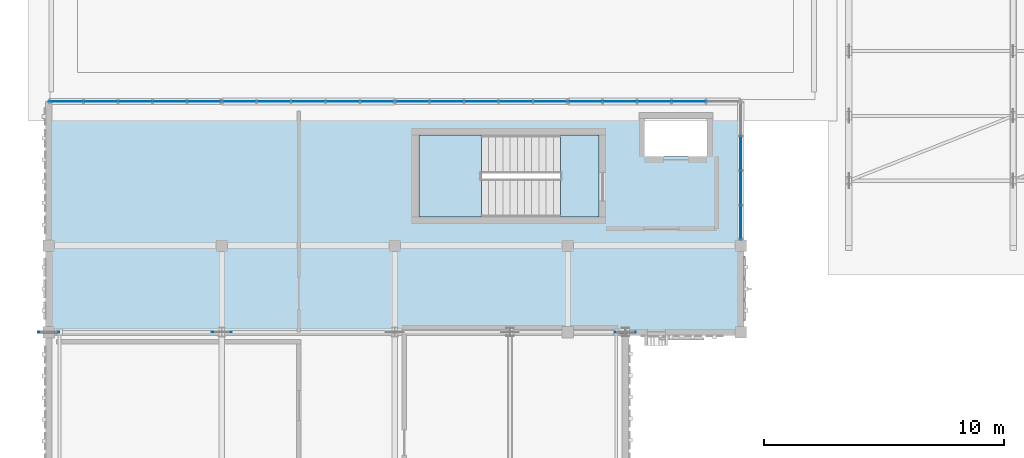
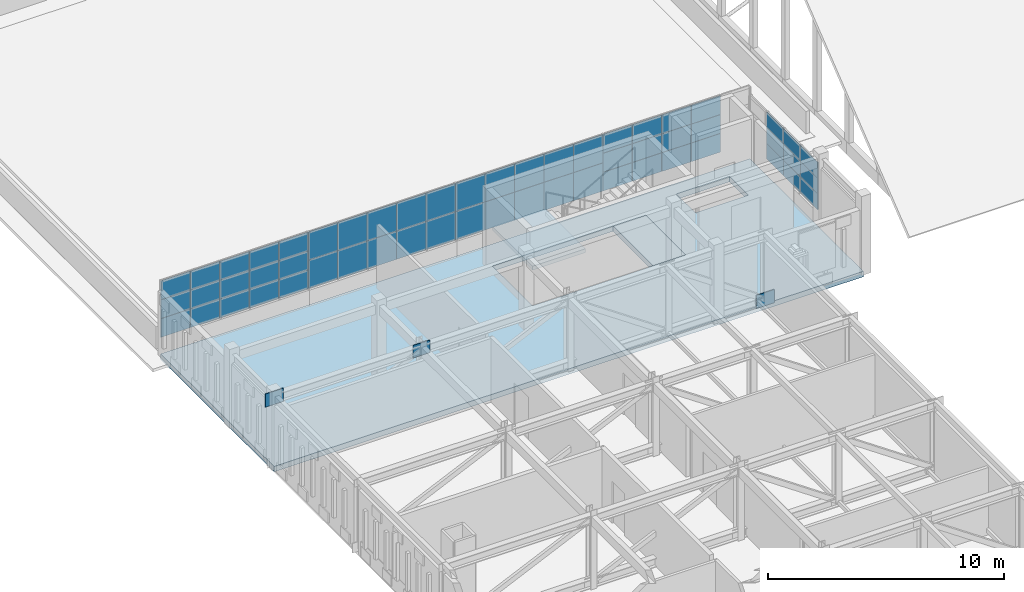
# One storey, part 35 of 79: 59 plates, 3 slabs, 6 elements without a shape of their own.
"""IFC4 building model written with IfcOpenShell, lengths in metres."""

from ifc_helpers import new_model, si_unit, direction, frame, origin, origin_2d, place, context, subcontext, project, spatial, polyline, rectangle, outline, extrude, material, layer, layer_set, type_object, element, aggregate, save


model = new_model("IFC4")

# Units and contexts
model_context = context("Model", 3, precision=1e-05, world=origin(), true_north=direction((0.0, 1.0)))
body_context = subcontext(model_context, "Body", "Model", "MODEL_VIEW")
ifc_project = project(units=[si_unit("LENGTHUNIT", "METRE"), si_unit("AREAUNIT", "SQUARE_METRE"), si_unit("VOLUMEUNIT", "CUBIC_METRE"), si_unit("PLANEANGLEUNIT", "RADIAN"), si_unit("MASSUNIT", "GRAM", prefix="KILO")], contexts=[model_context])

# Site, building, storey
site_placement = place(None, origin())
site = spatial("IfcSite", under=ifc_project, at=site_placement, CompositionType="ELEMENT")
building_placement = place(site_placement, origin())
building = spatial("IfcBuilding", under=site, at=building_placement, Name="Nzembalo Square Collegiate School", CompositionType="ELEMENT")
storey_placement = place(building_placement, frame((0.0, 0.0, 9.52001953125)))
storey = spatial("IfcBuildingStorey", under=building, at=storey_placement, Name="L02", CompositionType="ELEMENT", Elevation=9.52001953125)

# Curtain wall, plates
ifc_material_1 = material(Name="Aluminium 6060-T66", Category="aluminium")
curtain_wall_type_1 = type_object("IfcCurtainWallType", Name="CW-10", PredefinedType="USERDEFINED", material=ifc_material_1)
curtain_wall_1_placement = place(storey_placement, origin())
curtain_wall_1 = element("IfcCurtainWall", 1, at=curtain_wall_1_placement, inside=storey, type_object=curtain_wall_type_1, Name="Curtain wall CW-10 cw:L02:105", ObjectType="UNITISED", PredefinedType="USERDEFINED")
ifc_material_2 = material(Name="Laminated solar-control double glazing", Category="glass")
ifc_layer_1 = layer(ifc_material_2, 0.028076171875, Name="Laminated solar-control double glazing")
ifc_layer_set_1 = layer_set([ifc_layer_1], Name="Laminated solar-control double glazing")
plate_type_1 = type_object("IfcPlateType", Name="PN01", PredefinedType="CURTAIN_PANEL", material=ifc_layer_set_1)
plate_1_placement = place(storey_placement, frame((9.1201171875, 88.800048828125, 0.85400390625), z_axis=(0.0, 0.0, 1.0), x_axis=(1.0, 0.0, 0.0)))
plate_1 = element("IfcPlate", 2, at=plate_1_placement, type_object=plate_type_1, Name="PN01 glazed panel 1-1", PredefinedType="CURTAIN_PANEL", context=body_context, shape_type="SweptSolid", body=[
    extrude(rectangle(XDim=1.431884765625, YDim=0.028076171875, at=origin_2d()), origin(), (0.0, 0.0, 1.0), 0.966552734375),
])
plate_2_placement = place(storey_placement, frame((10.56005859375, 88.800048828125, 0.85400390625), z_axis=(0.0, 0.0, 1.0), x_axis=(1.0, 0.0, 0.0)))
plate_2 = element("IfcPlate", 3, at=plate_2_placement, type_object=plate_type_1, Name="PN01 glazed panel 1-2", PredefinedType="CURTAIN_PANEL", context=body_context, shape_type="SweptSolid", body=[
    extrude(rectangle(XDim=1.431884765625, YDim=0.028076171875, at=origin_2d()), origin(), (0.0, 0.0, 1.0), 0.966552734375),
])
plate_3_placement = place(storey_placement, frame((12.0, 88.800048828125, 0.85400390625), z_axis=(0.0, 0.0, 1.0), x_axis=(1.0, 0.0, 0.0)))
plate_3 = element("IfcPlate", 4, at=plate_3_placement, type_object=plate_type_1, Name="PN01 glazed panel 1-3", PredefinedType="CURTAIN_PANEL", context=body_context, shape_type="SweptSolid", body=[
    extrude(rectangle(XDim=1.431884765625, YDim=0.028076171875, at=origin_2d()), origin(), (0.0, 0.0, 1.0), 0.966552734375),
])
plate_4_placement = place(storey_placement, frame((13.43994140625, 88.800048828125, 0.85400390625), z_axis=(0.0, 0.0, 1.0), x_axis=(1.0, 0.0, 0.0)))
plate_4 = element("IfcPlate", 5, at=plate_4_placement, type_object=plate_type_1, Name="PN01 glazed panel 1-4", PredefinedType="CURTAIN_PANEL", context=body_context, shape_type="SweptSolid", body=[
    extrude(rectangle(XDim=1.431884765625, YDim=0.028076171875, at=origin_2d()), origin(), (0.0, 0.0, 1.0), 0.966552734375),
])
plate_5_placement = place(storey_placement, frame((14.8798828125, 88.800048828125, 0.85400390625), z_axis=(0.0, 0.0, 1.0), x_axis=(1.0, 0.0, 0.0)))
plate_5 = element("IfcPlate", 6, at=plate_5_placement, type_object=plate_type_1, Name="PN01 glazed panel 1-5", PredefinedType="CURTAIN_PANEL", context=body_context, shape_type="SweptSolid", body=[
    extrude(rectangle(XDim=1.431884765625, YDim=0.028076171875, at=origin_2d()), origin(), (0.0, 0.0, 1.0), 0.966552734375),
])
plate_6_placement = place(storey_placement, frame((9.1201171875, 88.800048828125, 1.82861328125), z_axis=(0.0, 0.0, 1.0), x_axis=(1.0, 0.0, 0.0)))
plate_6 = element("IfcPlate", 7, at=plate_6_placement, type_object=plate_type_1, Name="PN01 glazed panel 2-1", PredefinedType="CURTAIN_PANEL", context=body_context, shape_type="SweptSolid", body=[
    extrude(rectangle(XDim=1.431884765625, YDim=0.028076171875, at=origin_2d()), origin(), (0.0, 0.0, 1.0), 0.966552734375),
])
plate_7_placement = place(storey_placement, frame((10.56005859375, 88.800048828125, 1.82861328125), z_axis=(0.0, 0.0, 1.0), x_axis=(1.0, 0.0, 0.0)))
plate_7 = element("IfcPlate", 8, at=plate_7_placement, type_object=plate_type_1, Name="PN01 glazed panel 2-2", PredefinedType="CURTAIN_PANEL", context=body_context, shape_type="SweptSolid", body=[
    extrude(rectangle(XDim=1.431884765625, YDim=0.028076171875, at=origin_2d()), origin(), (0.0, 0.0, 1.0), 0.966552734375),
])
plate_8_placement = place(storey_placement, frame((12.0, 88.800048828125, 1.82861328125), z_axis=(0.0, 0.0, 1.0), x_axis=(1.0, 0.0, 0.0)))
plate_8 = element("IfcPlate", 9, at=plate_8_placement, type_object=plate_type_1, Name="PN01 glazed panel 2-3", PredefinedType="CURTAIN_PANEL", context=body_context, shape_type="SweptSolid", body=[
    extrude(rectangle(XDim=1.431884765625, YDim=0.028076171875, at=origin_2d()), origin(), (0.0, 0.0, 1.0), 0.966552734375),
])
plate_9_placement = place(storey_placement, frame((13.43994140625, 88.800048828125, 1.82861328125), z_axis=(0.0, 0.0, 1.0), x_axis=(1.0, 0.0, 0.0)))
plate_9 = element("IfcPlate", 10, at=plate_9_placement, type_object=plate_type_1, Name="PN01 glazed panel 2-4", PredefinedType="CURTAIN_PANEL", context=body_context, shape_type="SweptSolid", body=[
    extrude(rectangle(XDim=1.431884765625, YDim=0.028076171875, at=origin_2d()), origin(), (0.0, 0.0, 1.0), 0.966552734375),
])
plate_10_placement = place(storey_placement, frame((14.8798828125, 88.800048828125, 1.82861328125), z_axis=(0.0, 0.0, 1.0), x_axis=(1.0, 0.0, 0.0)))
plate_10 = element("IfcPlate", 11, at=plate_10_placement, type_object=plate_type_1, Name="PN01 glazed panel 2-5", PredefinedType="CURTAIN_PANEL", context=body_context, shape_type="SweptSolid", body=[
    extrude(rectangle(XDim=1.431884765625, YDim=0.028076171875, at=origin_2d()), origin(), (0.0, 0.0, 1.0), 0.966552734375),
])
plate_11_placement = place(storey_placement, frame((9.1201171875, 88.800048828125, 2.80322265625), z_axis=(0.0, 0.0, 1.0), x_axis=(1.0, 0.0, 0.0)))
plate_11 = element("IfcPlate", 12, at=plate_11_placement, type_object=plate_type_1, Name="PN01 glazed panel 3-1", PredefinedType="CURTAIN_PANEL", context=body_context, shape_type="SweptSolid", body=[
    extrude(rectangle(XDim=1.431884765625, YDim=0.028076171875, at=origin_2d()), origin(), (0.0, 0.0, 1.0), 0.966552734375),
])
plate_12_placement = place(storey_placement, frame((10.56005859375, 88.800048828125, 2.80322265625), z_axis=(0.0, 0.0, 1.0), x_axis=(1.0, 0.0, 0.0)))
plate_12 = element("IfcPlate", 13, at=plate_12_placement, type_object=plate_type_1, Name="PN01 glazed panel 3-2", PredefinedType="CURTAIN_PANEL", context=body_context, shape_type="SweptSolid", body=[
    extrude(rectangle(XDim=1.431884765625, YDim=0.028076171875, at=origin_2d()), origin(), (0.0, 0.0, 1.0), 0.966552734375),
])
plate_13_placement = place(storey_placement, frame((12.0, 88.800048828125, 2.80322265625), z_axis=(0.0, 0.0, 1.0), x_axis=(1.0, 0.0, 0.0)))
plate_13 = element("IfcPlate", 14, at=plate_13_placement, type_object=plate_type_1, Name="PN01 glazed panel 3-3", PredefinedType="CURTAIN_PANEL", context=body_context, shape_type="SweptSolid", body=[
    extrude(rectangle(XDim=1.431884765625, YDim=0.028076171875, at=origin_2d()), origin(), (0.0, 0.0, 1.0), 0.966552734375),
])
plate_14_placement = place(storey_placement, frame((13.43994140625, 88.800048828125, 2.80322265625), z_axis=(0.0, 0.0, 1.0), x_axis=(1.0, 0.0, 0.0)))
plate_14 = element("IfcPlate", 15, at=plate_14_placement, type_object=plate_type_1, Name="PN01 glazed panel 3-4", PredefinedType="CURTAIN_PANEL", context=body_context, shape_type="SweptSolid", body=[
    extrude(rectangle(XDim=1.431884765625, YDim=0.028076171875, at=origin_2d()), origin(), (0.0, 0.0, 1.0), 0.966552734375),
])
plate_15_placement = place(storey_placement, frame((14.8798828125, 88.800048828125, 2.80322265625), z_axis=(0.0, 0.0, 1.0), x_axis=(1.0, 0.0, 0.0)))
plate_15 = element("IfcPlate", 16, at=plate_15_placement, type_object=plate_type_1, Name="PN01 glazed panel 3-5", PredefinedType="CURTAIN_PANEL", context=body_context, shape_type="SweptSolid", body=[
    extrude(rectangle(XDim=1.431884765625, YDim=0.028076171875, at=origin_2d()), origin(), (0.0, 0.0, 1.0), 0.966552734375),
])
aggregate(curtain_wall_1, [plate_1, plate_2, plate_3, plate_4, plate_5, plate_6, plate_7, plate_8, plate_9, plate_10, plate_11, plate_12, plate_13, plate_14, plate_15])

ifc_material_3 = material(Name="Aluminium 6060-T66", Category="aluminium")
curtain_wall_type_2 = type_object("IfcCurtainWallType", Name="CW-09", PredefinedType="USERDEFINED", material=ifc_material_3)
curtain_wall_2_placement = place(storey_placement, origin())
curtain_wall_2 = element("IfcCurtainWall", 17, at=curtain_wall_2_placement, inside=storey, type_object=curtain_wall_type_2, Name="Curtain wall CW-09 cw:L02:108", ObjectType="UNITISED", PredefinedType="USERDEFINED")
plate_16_placement = place(storey_placement, frame((30.719970703125, 88.800048828125, 0.85400390625), z_axis=(0.0, 0.0, 1.0), x_axis=(1.0, 0.0, 0.0)))
plate_16 = element("IfcPlate", 18, at=plate_16_placement, type_object=plate_type_1, Name="PN01 glazed panel 1-1", PredefinedType="CURTAIN_PANEL", context=body_context, shape_type="SweptSolid", body=[
    extrude(rectangle(XDim=1.431884765625, YDim=0.028076171875, at=origin_2d()), origin(), (0.0, 0.0, 1.0), 0.966552734375),
])
plate_17_placement = place(storey_placement, frame((32.159912109375, 88.800048828125, 0.85400390625), z_axis=(0.0, 0.0, 1.0), x_axis=(1.0, 0.0, 0.0)))
plate_17 = element("IfcPlate", 19, at=plate_17_placement, type_object=plate_type_1, Name="PN01 glazed panel 1-2", PredefinedType="CURTAIN_PANEL", context=body_context, shape_type="SweptSolid", body=[
    extrude(rectangle(XDim=1.431884765625, YDim=0.028076171875, at=origin_2d()), origin(), (0.0, 0.0, 1.0), 0.966552734375),
])
plate_18_placement = place(storey_placement, frame((33.60009765625, 88.800048828125, 0.85400390625), z_axis=(0.0, 0.0, 1.0), x_axis=(1.0, 0.0, 0.0)))
plate_18 = element("IfcPlate", 20, at=plate_18_placement, type_object=plate_type_1, Name="PN01 glazed panel 1-3", PredefinedType="CURTAIN_PANEL", context=body_context, shape_type="SweptSolid", body=[
    extrude(rectangle(XDim=1.431884765625, YDim=0.028076171875, at=origin_2d()), origin(), (0.0, 0.0, 1.0), 0.966552734375),
])
plate_19_placement = place(storey_placement, frame((35.0400390625, 88.800048828125, 0.85400390625), z_axis=(0.0, 0.0, 1.0), x_axis=(1.0, 0.0, 0.0)))
plate_19 = element("IfcPlate", 21, at=plate_19_placement, type_object=plate_type_1, Name="PN01 glazed panel 1-4", PredefinedType="CURTAIN_PANEL", context=body_context, shape_type="SweptSolid", body=[
    extrude(rectangle(XDim=1.431884765625, YDim=0.028076171875, at=origin_2d()), origin(), (0.0, 0.0, 1.0), 0.966552734375),
])
plate_20_placement = place(storey_placement, frame((30.719970703125, 88.800048828125, 1.82861328125), z_axis=(0.0, 0.0, 1.0), x_axis=(1.0, 0.0, 0.0)))
plate_20 = element("IfcPlate", 22, at=plate_20_placement, type_object=plate_type_1, Name="PN01 glazed panel 2-1", PredefinedType="CURTAIN_PANEL", context=body_context, shape_type="SweptSolid", body=[
    extrude(rectangle(XDim=1.431884765625, YDim=0.028076171875, at=origin_2d()), origin(), (0.0, 0.0, 1.0), 0.966552734375),
])
plate_21_placement = place(storey_placement, frame((32.159912109375, 88.800048828125, 1.82861328125), z_axis=(0.0, 0.0, 1.0), x_axis=(1.0, 0.0, 0.0)))
plate_21 = element("IfcPlate", 23, at=plate_21_placement, type_object=plate_type_1, Name="PN01 glazed panel 2-2", PredefinedType="CURTAIN_PANEL", context=body_context, shape_type="SweptSolid", body=[
    extrude(rectangle(XDim=1.431884765625, YDim=0.028076171875, at=origin_2d()), origin(), (0.0, 0.0, 1.0), 0.966552734375),
])
plate_22_placement = place(storey_placement, frame((33.60009765625, 88.800048828125, 1.82861328125), z_axis=(0.0, 0.0, 1.0), x_axis=(1.0, 0.0, 0.0)))
plate_22 = element("IfcPlate", 24, at=plate_22_placement, type_object=plate_type_1, Name="PN01 glazed panel 2-3", PredefinedType="CURTAIN_PANEL", context=body_context, shape_type="SweptSolid", body=[
    extrude(rectangle(XDim=1.431884765625, YDim=0.028076171875, at=origin_2d()), origin(), (0.0, 0.0, 1.0), 0.966552734375),
])
plate_23_placement = place(storey_placement, frame((35.0400390625, 88.800048828125, 1.82861328125), z_axis=(0.0, 0.0, 1.0), x_axis=(1.0, 0.0, 0.0)))
plate_23 = element("IfcPlate", 25, at=plate_23_placement, type_object=plate_type_1, Name="PN01 glazed panel 2-4", PredefinedType="CURTAIN_PANEL", context=body_context, shape_type="SweptSolid", body=[
    extrude(rectangle(XDim=1.431884765625, YDim=0.028076171875, at=origin_2d()), origin(), (0.0, 0.0, 1.0), 0.966552734375),
])
plate_24_placement = place(storey_placement, frame((30.719970703125, 88.800048828125, 2.80322265625), z_axis=(0.0, 0.0, 1.0), x_axis=(1.0, 0.0, 0.0)))
plate_24 = element("IfcPlate", 26, at=plate_24_placement, type_object=plate_type_1, Name="PN01 glazed panel 3-1", PredefinedType="CURTAIN_PANEL", context=body_context, shape_type="SweptSolid", body=[
    extrude(rectangle(XDim=1.431884765625, YDim=0.028076171875, at=origin_2d()), origin(), (0.0, 0.0, 1.0), 0.966552734375),
])
plate_25_placement = place(storey_placement, frame((32.159912109375, 88.800048828125, 2.80322265625), z_axis=(0.0, 0.0, 1.0), x_axis=(1.0, 0.0, 0.0)))
plate_25 = element("IfcPlate", 27, at=plate_25_placement, type_object=plate_type_1, Name="PN01 glazed panel 3-2", PredefinedType="CURTAIN_PANEL", context=body_context, shape_type="SweptSolid", body=[
    extrude(rectangle(XDim=1.431884765625, YDim=0.028076171875, at=origin_2d()), origin(), (0.0, 0.0, 1.0), 0.966552734375),
])
plate_26_placement = place(storey_placement, frame((33.60009765625, 88.800048828125, 2.80322265625), z_axis=(0.0, 0.0, 1.0), x_axis=(1.0, 0.0, 0.0)))
plate_26 = element("IfcPlate", 28, at=plate_26_placement, type_object=plate_type_1, Name="PN01 glazed panel 3-3", PredefinedType="CURTAIN_PANEL", context=body_context, shape_type="SweptSolid", body=[
    extrude(rectangle(XDim=1.431884765625, YDim=0.028076171875, at=origin_2d()), origin(), (0.0, 0.0, 1.0), 0.966552734375),
])
plate_27_placement = place(storey_placement, frame((35.0400390625, 88.800048828125, 2.80322265625), z_axis=(0.0, 0.0, 1.0), x_axis=(1.0, 0.0, 0.0)))
plate_27 = element("IfcPlate", 29, at=plate_27_placement, type_object=plate_type_1, Name="PN01 glazed panel 3-4", PredefinedType="CURTAIN_PANEL", context=body_context, shape_type="SweptSolid", body=[
    extrude(rectangle(XDim=1.431884765625, YDim=0.028076171875, at=origin_2d()), origin(), (0.0, 0.0, 1.0), 0.966552734375),
])
aggregate(curtain_wall_2, [plate_16, plate_17, plate_18, plate_19, plate_20, plate_21, plate_22, plate_23, plate_24, plate_25, plate_26, plate_27])

ifc_material_4 = material(Name="Aluminium 6060-T66", Category="aluminium")
curtain_wall_type_3 = type_object("IfcCurtainWallType", Name="CW-11", PredefinedType="USERDEFINED", material=ifc_material_4)
curtain_wall_3_placement = place(storey_placement, origin())
curtain_wall_3 = element("IfcCurtainWall", 30, at=curtain_wall_3_placement, inside=storey, type_object=curtain_wall_type_3, Name="Curtain wall CW-11 cw:L02:106", ObjectType="LANCET", PredefinedType="USERDEFINED")
ifc_material_5 = material(Name="Acoustic laminated solar-control glazing", Category="glass")
ifc_layer_2 = layer(ifc_material_5, 0.031982421875, Name="Acoustic laminated solar-control glazing")
ifc_layer_set_2 = layer_set([ifc_layer_2], Name="Acoustic laminated solar-control glazing")
plate_type_2 = type_object("IfcPlateType", Name="PN02", PredefinedType="CURTAIN_PANEL", material=ifc_layer_set_2)
plate_28_placement = place(storey_placement, frame((16.320068359375, 88.800048828125, 0.85400390625), z_axis=(0.0, 0.0, 1.0), x_axis=(1.0, 0.0, 0.0)))
plate_28 = element("IfcPlate", 31, at=plate_28_placement, type_object=plate_type_2, Name="PN02 glazed panel 1-1", PredefinedType="CURTAIN_PANEL", context=body_context, shape_type="SweptSolid", body=[
    extrude(rectangle(XDim=1.431884765625, YDim=0.031982421875, at=origin_2d()), origin(), (0.0, 0.0, 1.0), 1.4541015625),
])
plate_29_placement = place(storey_placement, frame((17.760009765625, 88.800048828125, 0.85400390625), z_axis=(0.0, 0.0, 1.0), x_axis=(1.0, 0.0, 0.0)))
plate_29 = element("IfcPlate", 32, at=plate_29_placement, type_object=plate_type_2, Name="PN02 glazed panel 1-2", PredefinedType="CURTAIN_PANEL", context=body_context, shape_type="SweptSolid", body=[
    extrude(rectangle(XDim=1.431884765625, YDim=0.031982421875, at=origin_2d()), origin(), (0.0, 0.0, 1.0), 1.4541015625),
])
plate_30_placement = place(storey_placement, frame((19.199951171875, 88.800048828125, 0.85400390625), z_axis=(0.0, 0.0, 1.0), x_axis=(1.0, 0.0, 0.0)))
plate_30 = element("IfcPlate", 33, at=plate_30_placement, type_object=plate_type_2, Name="PN02 glazed panel 1-3", PredefinedType="CURTAIN_PANEL", context=body_context, shape_type="SweptSolid", body=[
    extrude(rectangle(XDim=1.431884765625, YDim=0.031982421875, at=origin_2d()), origin(), (0.0, 0.0, 1.0), 1.4541015625),
])
plate_31_placement = place(storey_placement, frame((20.639892578125, 88.800048828125, 0.85400390625), z_axis=(0.0, 0.0, 1.0), x_axis=(1.0, 0.0, 0.0)))
plate_31 = element("IfcPlate", 34, at=plate_31_placement, type_object=plate_type_2, Name="PN02 glazed panel 1-4", PredefinedType="CURTAIN_PANEL", context=body_context, shape_type="SweptSolid", body=[
    extrude(rectangle(XDim=1.431884765625, YDim=0.031982421875, at=origin_2d()), origin(), (0.0, 0.0, 1.0), 1.4541015625),
])
plate_32_placement = place(storey_placement, frame((22.080078125, 88.800048828125, 0.85400390625), z_axis=(0.0, 0.0, 1.0), x_axis=(1.0, 0.0, 0.0)))
plate_32 = element("IfcPlate", 35, at=plate_32_placement, type_object=plate_type_2, Name="PN02 glazed panel 1-5", PredefinedType="CURTAIN_PANEL", context=body_context, shape_type="SweptSolid", body=[
    extrude(rectangle(XDim=1.431884765625, YDim=0.031982421875, at=origin_2d()), origin(), (0.0, 0.0, 1.0), 1.4541015625),
])
plate_33_placement = place(storey_placement, frame((16.320068359375, 88.800048828125, 2.31591796875), z_axis=(0.0, 0.0, 1.0), x_axis=(1.0, 0.0, 0.0)))
plate_33 = element("IfcPlate", 36, at=plate_33_placement, type_object=plate_type_2, Name="PN02 glazed panel 2-1", PredefinedType="CURTAIN_PANEL", context=body_context, shape_type="SweptSolid", body=[
    extrude(rectangle(XDim=1.431884765625, YDim=0.031982421875, at=origin_2d()), origin(), (0.0, 0.0, 1.0), 1.4541015625),
])
plate_34_placement = place(storey_placement, frame((17.760009765625, 88.800048828125, 2.31591796875), z_axis=(0.0, 0.0, 1.0), x_axis=(1.0, 0.0, 0.0)))
plate_34 = element("IfcPlate", 37, at=plate_34_placement, type_object=plate_type_2, Name="PN02 glazed panel 2-2", PredefinedType="CURTAIN_PANEL", context=body_context, shape_type="SweptSolid", body=[
    extrude(rectangle(XDim=1.431884765625, YDim=0.031982421875, at=origin_2d()), origin(), (0.0, 0.0, 1.0), 1.4541015625),
])
plate_35_placement = place(storey_placement, frame((19.199951171875, 88.800048828125, 2.31591796875), z_axis=(0.0, 0.0, 1.0), x_axis=(1.0, 0.0, 0.0)))
plate_35 = element("IfcPlate", 38, at=plate_35_placement, type_object=plate_type_2, Name="PN02 glazed panel 2-3", PredefinedType="CURTAIN_PANEL", context=body_context, shape_type="SweptSolid", body=[
    extrude(rectangle(XDim=1.431884765625, YDim=0.031982421875, at=origin_2d()), origin(), (0.0, 0.0, 1.0), 1.4541015625),
])
plate_36_placement = place(storey_placement, frame((20.639892578125, 88.800048828125, 2.31591796875), z_axis=(0.0, 0.0, 1.0), x_axis=(1.0, 0.0, 0.0)))
plate_36 = element("IfcPlate", 39, at=plate_36_placement, type_object=plate_type_2, Name="PN02 glazed panel 2-4", PredefinedType="CURTAIN_PANEL", context=body_context, shape_type="SweptSolid", body=[
    extrude(rectangle(XDim=1.431884765625, YDim=0.031982421875, at=origin_2d()), origin(), (0.0, 0.0, 1.0), 1.4541015625),
])
plate_37_placement = place(storey_placement, frame((22.080078125, 88.800048828125, 2.31591796875), z_axis=(0.0, 0.0, 1.0), x_axis=(1.0, 0.0, 0.0)))
plate_37 = element("IfcPlate", 40, at=plate_37_placement, type_object=plate_type_2, Name="PN02 glazed panel 2-5", PredefinedType="CURTAIN_PANEL", context=body_context, shape_type="SweptSolid", body=[
    extrude(rectangle(XDim=1.431884765625, YDim=0.031982421875, at=origin_2d()), origin(), (0.0, 0.0, 1.0), 1.4541015625),
])
aggregate(curtain_wall_3, [plate_28, plate_29, plate_30, plate_31, plate_32, plate_33, plate_34, plate_35, plate_36, plate_37])

ifc_material_6 = material(Name="Aluminium 6060-T66", Category="aluminium")
curtain_wall_type_4 = type_object("IfcCurtainWallType", Name="CW-12", PredefinedType="USERDEFINED", material=ifc_material_6)
curtain_wall_4_placement = place(storey_placement, origin())
curtain_wall_4 = element("IfcCurtainWall", 41, at=curtain_wall_4_placement, inside=storey, type_object=curtain_wall_type_4, Name="Curtain wall CW-12 cw:L02:107", ObjectType="LANCET", PredefinedType="USERDEFINED")
plate_38_placement = place(storey_placement, frame((23.52001953125, 88.800048828125, 0.85400390625), z_axis=(0.0, 0.0, 1.0), x_axis=(1.0, 0.0, 0.0)))
plate_38 = element("IfcPlate", 42, at=plate_38_placement, type_object=plate_type_2, Name="PN02 glazed panel 1-1", PredefinedType="CURTAIN_PANEL", context=body_context, shape_type="SweptSolid", body=[
    extrude(rectangle(XDim=1.431884765625, YDim=0.031982421875, at=origin_2d()), origin(), (0.0, 0.0, 1.0), 1.4541015625),
])
plate_39_placement = place(storey_placement, frame((24.9599609375, 88.800048828125, 0.85400390625), z_axis=(0.0, 0.0, 1.0), x_axis=(1.0, 0.0, 0.0)))
plate_39 = element("IfcPlate", 43, at=plate_39_placement, type_object=plate_type_2, Name="PN02 glazed panel 1-2", PredefinedType="CURTAIN_PANEL", context=body_context, shape_type="SweptSolid", body=[
    extrude(rectangle(XDim=1.431884765625, YDim=0.031982421875, at=origin_2d()), origin(), (0.0, 0.0, 1.0), 1.4541015625),
])
plate_40_placement = place(storey_placement, frame((26.39990234375, 88.800048828125, 0.85400390625), z_axis=(0.0, 0.0, 1.0), x_axis=(1.0, 0.0, 0.0)))
plate_40 = element("IfcPlate", 44, at=plate_40_placement, type_object=plate_type_2, Name="PN02 glazed panel 1-3", PredefinedType="CURTAIN_PANEL", context=body_context, shape_type="SweptSolid", body=[
    extrude(rectangle(XDim=1.431884765625, YDim=0.031982421875, at=origin_2d()), origin(), (0.0, 0.0, 1.0), 1.4541015625),
])
plate_41_placement = place(storey_placement, frame((27.840087890625, 88.800048828125, 0.85400390625), z_axis=(0.0, 0.0, 1.0), x_axis=(1.0, 0.0, 0.0)))
plate_41 = element("IfcPlate", 45, at=plate_41_placement, type_object=plate_type_2, Name="PN02 glazed panel 1-4", PredefinedType="CURTAIN_PANEL", context=body_context, shape_type="SweptSolid", body=[
    extrude(rectangle(XDim=1.431884765625, YDim=0.031982421875, at=origin_2d()), origin(), (0.0, 0.0, 1.0), 1.4541015625),
])
plate_42_placement = place(storey_placement, frame((29.280029296875, 88.800048828125, 0.85400390625), z_axis=(0.0, 0.0, 1.0), x_axis=(1.0, 0.0, 0.0)))
plate_42 = element("IfcPlate", 46, at=plate_42_placement, type_object=plate_type_2, Name="PN02 glazed panel 1-5", PredefinedType="CURTAIN_PANEL", context=body_context, shape_type="SweptSolid", body=[
    extrude(rectangle(XDim=1.431884765625, YDim=0.031982421875, at=origin_2d()), origin(), (0.0, 0.0, 1.0), 1.4541015625),
])
plate_43_placement = place(storey_placement, frame((23.52001953125, 88.800048828125, 2.31591796875), z_axis=(0.0, 0.0, 1.0), x_axis=(1.0, 0.0, 0.0)))
plate_43 = element("IfcPlate", 47, at=plate_43_placement, type_object=plate_type_2, Name="PN02 glazed panel 2-1", PredefinedType="CURTAIN_PANEL", context=body_context, shape_type="SweptSolid", body=[
    extrude(rectangle(XDim=1.431884765625, YDim=0.031982421875, at=origin_2d()), origin(), (0.0, 0.0, 1.0), 1.4541015625),
])
plate_44_placement = place(storey_placement, frame((24.9599609375, 88.800048828125, 2.31591796875), z_axis=(0.0, 0.0, 1.0), x_axis=(1.0, 0.0, 0.0)))
plate_44 = element("IfcPlate", 48, at=plate_44_placement, type_object=plate_type_2, Name="PN02 glazed panel 2-2", PredefinedType="CURTAIN_PANEL", context=body_context, shape_type="SweptSolid", body=[
    extrude(rectangle(XDim=1.431884765625, YDim=0.031982421875, at=origin_2d()), origin(), (0.0, 0.0, 1.0), 1.4541015625),
])
plate_45_placement = place(storey_placement, frame((26.39990234375, 88.800048828125, 2.31591796875), z_axis=(0.0, 0.0, 1.0), x_axis=(1.0, 0.0, 0.0)))
plate_45 = element("IfcPlate", 49, at=plate_45_placement, type_object=plate_type_2, Name="PN02 glazed panel 2-3", PredefinedType="CURTAIN_PANEL", context=body_context, shape_type="SweptSolid", body=[
    extrude(rectangle(XDim=1.431884765625, YDim=0.031982421875, at=origin_2d()), origin(), (0.0, 0.0, 1.0), 1.4541015625),
])
plate_46_placement = place(storey_placement, frame((27.840087890625, 88.800048828125, 2.31591796875), z_axis=(0.0, 0.0, 1.0), x_axis=(1.0, 0.0, 0.0)))
plate_46 = element("IfcPlate", 50, at=plate_46_placement, type_object=plate_type_2, Name="PN02 glazed panel 2-4", PredefinedType="CURTAIN_PANEL", context=body_context, shape_type="SweptSolid", body=[
    extrude(rectangle(XDim=1.431884765625, YDim=0.031982421875, at=origin_2d()), origin(), (0.0, 0.0, 1.0), 1.4541015625),
])
plate_47_placement = place(storey_placement, frame((29.280029296875, 88.800048828125, 2.31591796875), z_axis=(0.0, 0.0, 1.0), x_axis=(1.0, 0.0, 0.0)))
plate_47 = element("IfcPlate", 51, at=plate_47_placement, type_object=plate_type_2, Name="PN02 glazed panel 2-5", PredefinedType="CURTAIN_PANEL", context=body_context, shape_type="SweptSolid", body=[
    extrude(rectangle(XDim=1.431884765625, YDim=0.031982421875, at=origin_2d()), origin(), (0.0, 0.0, 1.0), 1.4541015625),
])
aggregate(curtain_wall_4, [plate_38, plate_39, plate_40, plate_41, plate_42, plate_43, plate_44, plate_45, plate_46, plate_47])

ifc_material_7 = material(Name="Aluminium 6060-T66", Category="aluminium")
curtain_wall_type_5 = type_object("IfcCurtainWallType", Name="CW-06", PredefinedType="USERDEFINED", material=ifc_material_7)
curtain_wall_5_placement = place(storey_placement, origin())
curtain_wall_5 = element("IfcCurtainWall", 52, at=curtain_wall_5_placement, inside=storey, type_object=curtain_wall_type_5, Name="Curtain wall CW-06 cw:L02:109", ObjectType="LANCET", PredefinedType="USERDEFINED")
plate_48_placement = place(storey_placement, frame((37.199951171875, 83.76171875, 0.85400390625), z_axis=(0.0, 0.0, 1.0), x_axis=(0.0, 1.0, 0.0)))
plate_48 = element("IfcPlate", 53, at=plate_48_placement, type_object=plate_type_2, Name="PN02 glazed panel 1-1", PredefinedType="CURTAIN_PANEL", context=body_context, shape_type="SweptSolid", body=[
    extrude(rectangle(XDim=1.431396484375, YDim=0.031982421875, at=origin_2d()), origin(), (0.0, 0.0, 1.0), 0.808349609375),
])
plate_49_placement = place(storey_placement, frame((37.199951171875, 85.201171875, 0.85400390625), z_axis=(0.0, 0.0, 1.0), x_axis=(0.0, 1.0, 0.0)))
plate_49 = element("IfcPlate", 54, at=plate_49_placement, type_object=plate_type_2, Name="PN02 glazed panel 1-2", PredefinedType="CURTAIN_PANEL", context=body_context, shape_type="SweptSolid", body=[
    extrude(rectangle(XDim=1.431396484375, YDim=0.031982421875, at=origin_2d()), origin(), (0.0, 0.0, 1.0), 0.808349609375),
])
plate_50_placement = place(storey_placement, frame((37.199951171875, 86.640869140625, 0.85400390625), z_axis=(0.0, 0.0, 1.0), x_axis=(0.0, 1.0, 0.0)))
plate_50 = element("IfcPlate", 55, at=plate_50_placement, type_object=plate_type_2, Name="PN02 glazed panel 1-3", PredefinedType="CURTAIN_PANEL", context=body_context, shape_type="SweptSolid", body=[
    extrude(rectangle(XDim=1.431396484375, YDim=0.031982421875, at=origin_2d()), origin(), (0.0, 0.0, 1.0), 0.808349609375),
])
plate_51_placement = place(storey_placement, frame((37.199951171875, 83.76171875, 1.67041015625), z_axis=(0.0, 0.0, 1.0), x_axis=(0.0, 1.0, 0.0)))
plate_51 = element("IfcPlate", 56, at=plate_51_placement, type_object=plate_type_2, Name="PN02 glazed panel 2-1", PredefinedType="CURTAIN_PANEL", context=body_context, shape_type="SweptSolid", body=[
    extrude(rectangle(XDim=1.431396484375, YDim=0.031982421875, at=origin_2d()), origin(), (0.0, 0.0, 1.0), 0.808349609375),
])
plate_52_placement = place(storey_placement, frame((37.199951171875, 85.201171875, 1.67041015625), z_axis=(0.0, 0.0, 1.0), x_axis=(0.0, 1.0, 0.0)))
plate_52 = element("IfcPlate", 57, at=plate_52_placement, type_object=plate_type_2, Name="PN02 glazed panel 2-2", PredefinedType="CURTAIN_PANEL", context=body_context, shape_type="SweptSolid", body=[
    extrude(rectangle(XDim=1.431396484375, YDim=0.031982421875, at=origin_2d()), origin(), (0.0, 0.0, 1.0), 0.808349609375),
])
plate_53_placement = place(storey_placement, frame((37.199951171875, 86.640869140625, 1.67041015625), z_axis=(0.0, 0.0, 1.0), x_axis=(0.0, 1.0, 0.0)))
plate_53 = element("IfcPlate", 58, at=plate_53_placement, type_object=plate_type_2, Name="PN02 glazed panel 2-3", PredefinedType="CURTAIN_PANEL", context=body_context, shape_type="SweptSolid", body=[
    extrude(rectangle(XDim=1.431396484375, YDim=0.031982421875, at=origin_2d()), origin(), (0.0, 0.0, 1.0), 0.808349609375),
])
plate_54_placement = place(storey_placement, frame((37.199951171875, 83.76171875, 2.48681640625), z_axis=(0.0, 0.0, 1.0), x_axis=(0.0, 1.0, 0.0)))
plate_54 = element("IfcPlate", 59, at=plate_54_placement, type_object=plate_type_2, Name="PN02 glazed panel 3-1", PredefinedType="CURTAIN_PANEL", context=body_context, shape_type="SweptSolid", body=[
    extrude(rectangle(XDim=1.431396484375, YDim=0.031982421875, at=origin_2d()), origin(), (0.0, 0.0, 1.0), 0.808349609375),
])
plate_55_placement = place(storey_placement, frame((37.199951171875, 85.201171875, 2.48681640625), z_axis=(0.0, 0.0, 1.0), x_axis=(0.0, 1.0, 0.0)))
plate_55 = element("IfcPlate", 60, at=plate_55_placement, type_object=plate_type_2, Name="PN02 glazed panel 3-2", PredefinedType="CURTAIN_PANEL", context=body_context, shape_type="SweptSolid", body=[
    extrude(rectangle(XDim=1.431396484375, YDim=0.031982421875, at=origin_2d()), origin(), (0.0, 0.0, 1.0), 0.808349609375),
])
plate_56_placement = place(storey_placement, frame((37.199951171875, 86.640869140625, 2.48681640625), z_axis=(0.0, 0.0, 1.0), x_axis=(0.0, 1.0, 0.0)))
plate_56 = element("IfcPlate", 61, at=plate_56_placement, type_object=plate_type_2, Name="PN02 glazed panel 3-3", PredefinedType="CURTAIN_PANEL", context=body_context, shape_type="SweptSolid", body=[
    extrude(rectangle(XDim=1.431396484375, YDim=0.031982421875, at=origin_2d()), origin(), (0.0, 0.0, 1.0), 0.808349609375),
])
aggregate(curtain_wall_5, [plate_48, plate_49, plate_50, plate_51, plate_52, plate_53, plate_54, plate_55, plate_56])

# Stair, slab
ifc_material_8 = material(Name="Precast concrete C40/50", Category="concrete")
stair_type = type_object("IfcStairType", Name="ST-24R", PredefinedType="HALF_TURN_STAIR", material=ifc_material_8)
stair_placement = place(storey_placement, origin())
stair = element("IfcStair", 62, at=stair_placement, inside=storey, type_object=stair_type, Name="Escape stair ST-08 (C2 L02)", PredefinedType="HALF_TURN_STAIR")
ifc_material_9 = material(Name="Precast concrete C40/50", Category="concrete")
ifc_layer_3 = layer(ifc_material_9, 0.199951171875, Name="Precast concrete C40/50")
ifc_layer_set_3 = layer_set([ifc_layer_3], Name="Precast concrete C40/50")
slab_type_1 = type_object("IfcSlabType", Name="SL-LDG", PredefinedType="LANDING", material=ifc_layer_set_3)
slab_1_placement = place(storey_placement, frame((0.0, 0.0, 1.840087890625)))
slab_1 = element("IfcSlab", 63, at=slab_1_placement, type_object=slab_type_1, Name="ST-08 landing 1", PredefinedType="LANDING", context=body_context, shape_type="SweptSolid", body=[
    extrude(outline(polyline([(26.39990234375, 87.39990234375), (23.800048828125, 87.39990234375), (23.800048828125, 84.0), (26.39990234375, 84.0), (26.39990234375, 87.39990234375)])), origin(), (0.0, 0.0, 1.0), 0.199951171875),
])
aggregate(stair, [slab_1])

# Plates
ifc_material_10 = material(Name="Steel S355", Category="steel")
ifc_layer_4 = layer(ifc_material_10, 0.033935546875, Name="Steel S355")
ifc_layer_set_4 = layer_set([ifc_layer_4], Name="Steel S355")
plate_type_3 = type_object("IfcPlateType", Name="KN01", PredefinedType="SHEET", material=ifc_layer_set_4)
for number, where, z_axis, x_axis, name in (
    (64, (8.39990234375, 79.199951171875, 3.22021484375), (0.0, 0.0, 1.0), (1.0, 0.0, 0.0), "TT-4A-05 transfer gusset plate KN01"),
    (65, (32.39990234375, 79.199951171875, -0.080078125), (0.0, 0.0, 1.0), (1.0, 0.0, 0.0), "TT-4A-05 transfer gusset plate KN01"),
):
    element("IfcPlate", number, at=place(storey_placement, frame(where, z_axis=z_axis, x_axis=x_axis)), inside=storey, type_object=plate_type_3, Name=name, PredefinedType="SHEET", context=body_context, shape_type="SweptSolid", body=[
        extrude(rectangle(XDim=0.8798828125, YDim=0.033935546875, at=origin_2d()), origin(), (0.0, 0.0, 1.0), 0.679931640625),
    ])
ifc_material_11 = material(Name="Steel S355", Category="steel")
ifc_layer_5 = layer(ifc_material_11, 0.031982421875, Name="Steel S355")
ifc_layer_set_5 = layer_set([ifc_layer_5], Name="Steel S355")
plate_type_4 = type_object("IfcPlateType", Name="KN02", PredefinedType="SHEET", material=ifc_layer_set_5)
plate_57_placement = place(storey_placement, frame((15.60009765625, 79.199951171875, 3.240234375), z_axis=(0.0, 0.0, 1.0), x_axis=(1.0, 0.0, 0.0)))
element("IfcPlate", 66, at=plate_57_placement, inside=storey, type_object=plate_type_4, Name="TT-4A-05 transfer gusset plate KN02", PredefinedType="SHEET", context=body_context, shape_type="SweptSolid", body=[
    extrude(rectangle(XDim=0.820068359375, YDim=0.031982421875, at=origin_2d()), origin(), (0.0, 0.0, 1.0), 0.639892578125),
])

# Slabs
ifc_material_12 = material(Name="CLT CL24", Category="wood")
ifc_layer_6 = layer(ifc_material_12, 0.278076171875, Name="CLT CL24")
ifc_layer_set_6 = layer_set([ifc_layer_6], Name="CLT CL24")
slab_type_2 = type_object("IfcSlabType", Name="SL-02", PredefinedType="FLOOR", material=ifc_layer_set_6)
slab_2_placement = place(storey_placement, frame((0.0, 0.0, -0.278076171875)))
element("IfcSlab", 67, at=slab_2_placement, inside=storey, type_object=slab_type_2, Name="Slab SL-L02-55", PredefinedType="FLOOR", context=body_context, shape_type="SweptSolid", body=[
    extrude(outline(polyline([(8.39990234375, 79.199951171875), (37.199951171875, 79.199951171875), (37.199951171875, 88.800048828125), (8.39990234375, 88.800048828125), (8.39990234375, 79.199951171875)]), holes=[polyline([(33.199951171875, 86.5), (35.800048828125, 86.5), (35.800048828125, 88.10009765625), (33.199951171875, 88.10009765625), (33.199951171875, 86.5)]), polyline([(31.300048828125, 87.39990234375), (23.800048828125, 87.39990234375), (23.800048828125, 84.0), (31.300048828125, 84.0), (31.300048828125, 87.39990234375)])]), origin(), (0.0, 0.0, 1.0), 0.278076171875),
])
slab_3_placement = place(storey_placement, frame((0.0, 0.0, -0.278076171875)))
element("IfcSlab", 68, at=slab_3_placement, inside=storey, type_object=slab_type_2, Name="Core C2 floor landing slab SL-L02-C2", PredefinedType="FLOOR", context=body_context, shape_type="SweptSolid", body=[
    extrude(outline(polyline([(29.699951171875, 84.0), (31.300048828125, 84.0), (31.300048828125, 87.39990234375), (29.699951171875, 87.39990234375), (29.699951171875, 84.0)])), origin(), (0.0, 0.0, 1.0), 0.278076171875),
])

save(model, "model.ifc")
